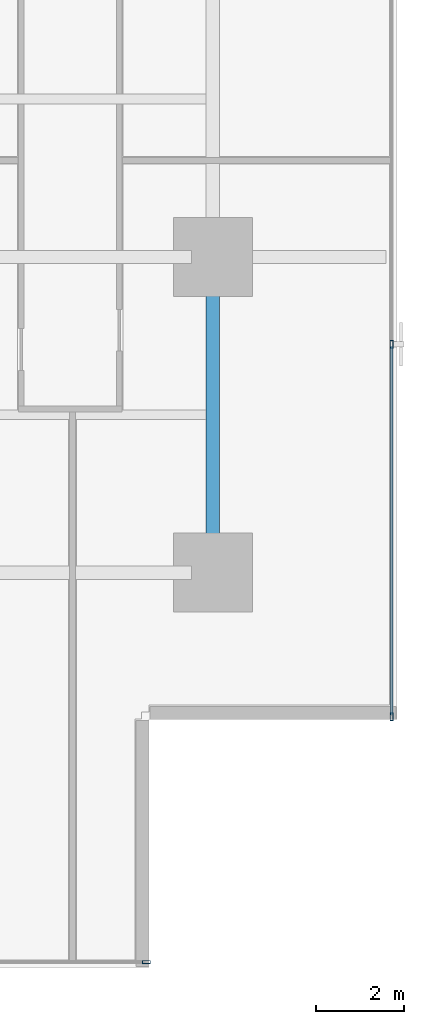
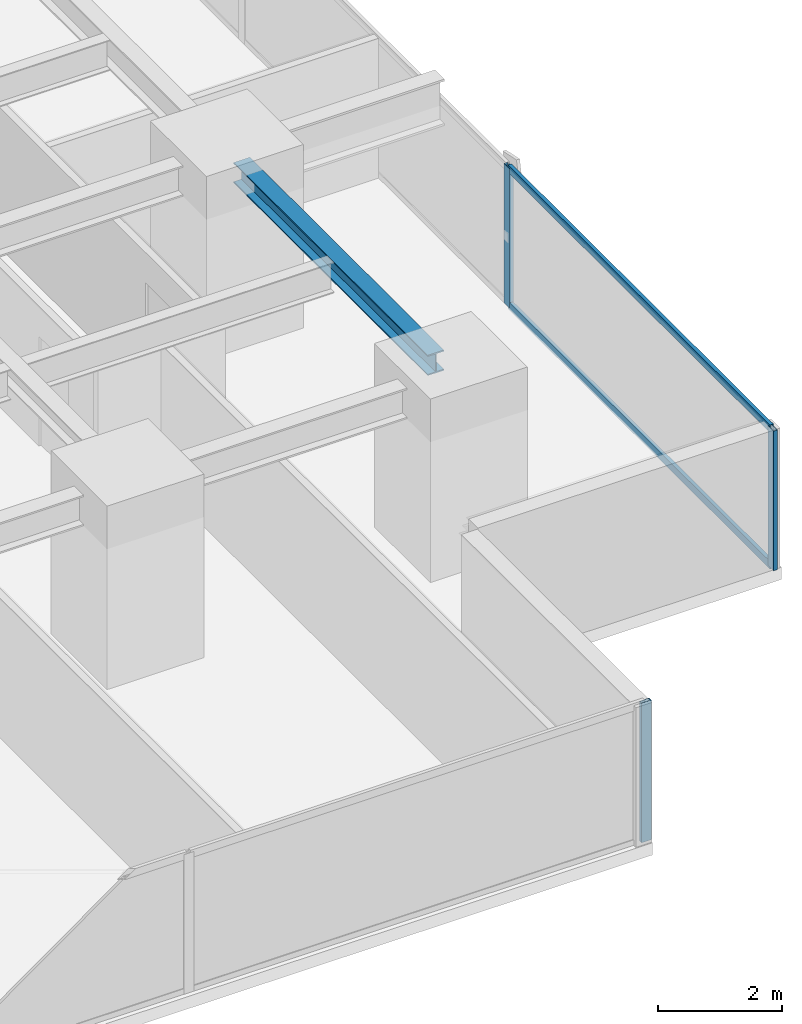
# One storey, part 13 of 33: 5 members, 1 beam, 2 elements without a shape of their own.
"""IFC4 building model written with IfcOpenShell, lengths in metres."""

from ifc_helpers import new_model, si_unit, direction, frame, origin, origin_2d, place, context, subcontext, project, spatial, hollow_rectangle, i_section, extrude, source, transform, mapped, material, layer, layer_set, material_profile, profile_set, type_object, element, aggregate, save


model = new_model("IFC4")

# Units and contexts
model_context = context("Model", 3, precision=1e-05, world=origin(), true_north=direction((0.0, 1.0)))
body_context = subcontext(model_context, "Body", "Model", "MODEL_VIEW")
ifc_project = project(units=[si_unit("LENGTHUNIT", "METRE"), si_unit("AREAUNIT", "SQUARE_METRE"), si_unit("VOLUMEUNIT", "CUBIC_METRE"), si_unit("PLANEANGLEUNIT", "RADIAN"), si_unit("MASSUNIT", "GRAM", prefix="KILO")], contexts=[model_context])

# Site, building, storey
site_placement = place(None, origin())
site = spatial("IfcSite", under=ifc_project, at=site_placement, CompositionType="ELEMENT")
building_placement = place(site_placement, origin())
building = spatial("IfcBuilding", under=site, at=building_placement, Name="Sumidabori Civic Tower", CompositionType="ELEMENT")
storey_placement = place(building_placement, frame((0.0, 0.0, 38.0)))
storey = spatial("IfcBuildingStorey", under=building, at=storey_placement, Name="L09", CompositionType="ELEMENT", Elevation=38.0)

# Beam
ifc_material_1 = material(Name="Steel SN490", Category="steel")
ifc_material_profile_1 = material_profile(ifc_material_1, i_section(OverallWidth=0.300048828125, OverallDepth=0.39990234375, WebThickness=0.013427734375, FlangeThickness=0.02392578125, at=origin_2d()), Name="HE 400 B")
ifc_profile_set_1 = profile_set([ifc_material_profile_1], Name="Steel SN490")
beam_type = type_object("IfcBeamType", Name="BM-GIRD-400", PredefinedType="BEAM", material=ifc_profile_set_1)
shared_shape_1 = source(origin(), body_context, "Body", "SweptSolid", [
    extrude(i_section(OverallWidth=0.300048828125, OverallDepth=0.39990234375, WebThickness=0.013427734375, FlangeThickness=0.02392578125, at=origin_2d()), origin(), (0.0, 0.0, 1.0), 6.239990234375),
])
beam_placement = place(storey_placement, frame((22.800048828125, -17.52001953125, 3.159912109375), z_axis=(0.0, 1.0, 0.0), x_axis=(-1.0, 0.0, 0.0)))
element("IfcBeam", 1, at=beam_placement, inside=storey, type_object=beam_type, Name="Primary Girder L09 GY-39", PredefinedType="BEAM", context=body_context, shape_type="MappedRepresentation", body=[
    mapped(shared_shape_1, transform((0.0, 0.0, 0.0), x_axis=(1.0, 0.0, 0.0), y_axis=(0.0, 1.0, 0.0), z_axis=(0.0, 0.0, 1.0), scale=1.0)),
])

# Curtain wall, member
ifc_material_2 = material(Name="Anodised Bronze Aluminium AW-6063-T6", Category="aluminium")
ifc_layer = layer(ifc_material_2, 0.179931640625, Name="Anodised Bronze Aluminium AW-6063-T6")
ifc_layer_set = layer_set([ifc_layer], Name="Anodised Bronze Aluminium AW-6063-T6")
curtain_wall_type = type_object("IfcCurtainWallType", Name="CW-SYS-2", PredefinedType="NOTDEFINED", material=ifc_layer_set)
curtain_wall_1_placement = place(storey_placement, origin())
curtain_wall_1 = element("IfcCurtainWall", 2, at=curtain_wall_1_placement, inside=storey, type_object=curtain_wall_type, Name="Curtain Wall CW:L09:R01", PredefinedType="NOTDEFINED")
ifc_material_profile_2 = material_profile(ifc_material_2, hollow_rectangle(XDim=0.070068359375, YDim=0.179931640625, WallThickness=0.006103515625, at=origin_2d()), Name="ALU MULLION 180x70")
ifc_profile_set_2 = profile_set([ifc_material_profile_2], Name="Anodised Bronze Aluminium AW-6063-T6")
member_type_1 = type_object("IfcMemberType", Name="CW-MUL-180", PredefinedType="MULLION", material=ifc_profile_set_2)
shared_shape_2 = source(origin(), body_context, "Body", "SweptSolid", [
    extrude(hollow_rectangle(XDim=0.070068359375, YDim=0.179931640625, WallThickness=0.006103515625, at=origin_2d()), origin(), (0.0, 0.0, 1.0), 2.739990234375),
])
member_1_placement = place(storey_placement, frame((21.284912109375, -26.8798828125, 0.0), z_axis=(0.0, 0.0, 1.0), x_axis=(0.0, 1.0, 0.0)))
member_1 = element("IfcMember", 3, at=member_1_placement, type_object=member_type_1, Name="CW-2 mullion 6", PredefinedType="MULLION", context=body_context, shape_type="MappedRepresentation", body=[
    mapped(shared_shape_2, transform((0.0, 0.0, 0.0), x_axis=(1.0, 0.0, 0.0), y_axis=(0.0, 1.0, 0.0), z_axis=(0.0, 0.0, 1.0), scale=1.0)),
])
aggregate(curtain_wall_1, [member_1])

# Curtain wall, members
curtain_wall_2_placement = place(storey_placement, origin())
curtain_wall_2 = element("IfcCurtainWall", 4, at=curtain_wall_2_placement, inside=storey, type_object=curtain_wall_type, Name="Curtain Wall CW:L09:R04", PredefinedType="NOTDEFINED")
member_2_placement = place(storey_placement, frame((26.8798828125, -21.284912109375, 0.0), z_axis=(0.0, 0.0, 1.0), x_axis=(-1.0, 0.0, 0.0)))
member_2 = element("IfcMember", 5, at=member_2_placement, type_object=member_type_1, Name="CW-2 mullion 1", PredefinedType="MULLION", context=body_context, shape_type="MappedRepresentation", body=[
    mapped(shared_shape_2, transform((0.0, 0.0, 0.0), x_axis=(1.0, 0.0, 0.0), y_axis=(0.0, 1.0, 0.0), z_axis=(0.0, 0.0, 1.0), scale=1.0)),
])
member_3_placement = place(storey_placement, frame((26.8798828125, -12.7919921875, 0.0), z_axis=(0.0, 0.0, 1.0), x_axis=(-1.0, 0.0, 0.0)))
member_3 = element("IfcMember", 6, at=member_3_placement, type_object=member_type_1, Name="CW-2 mullion 2", PredefinedType="MULLION", context=body_context, shape_type="MappedRepresentation", body=[
    mapped(shared_shape_2, transform((0.0, 0.0, 0.0), x_axis=(1.0, 0.0, 0.0), y_axis=(0.0, 1.0, 0.0), z_axis=(0.0, 0.0, 1.0), scale=1.0)),
])
ifc_material_profile_3 = material_profile(ifc_material_2, hollow_rectangle(XDim=0.06494140625, YDim=0.14990234375, WallThickness=0.0048828125, at=origin_2d()), Name="ALU TRANSOM 150x65")
ifc_profile_set_3 = profile_set([ifc_material_profile_3], Name="Anodised Bronze Aluminium AW-6063-T6")
member_type_2 = type_object("IfcMemberType", Name="CW-TRN-150", PredefinedType="USERDEFINED", material=ifc_profile_set_3)
shared_shape_3 = source(origin(), body_context, "Body", "SweptSolid", [
    extrude(hollow_rectangle(XDim=0.06494140625, YDim=0.14990234375, WallThickness=0.0048828125, at=origin_2d()), origin(), (0.0, 0.0, 1.0), 8.423095703125),
])
member_4_placement = place(storey_placement, frame((26.8798828125, -21.25, 0.032470703125), z_axis=(0.0, 1.0, 0.0), x_axis=(-1.0, 0.0, 0.0)))
member_4 = element("IfcMember", 7, at=member_4_placement, type_object=member_type_2, Name="CW-2 transom 1.1", ObjectType="TRANSOM", PredefinedType="USERDEFINED", context=body_context, shape_type="MappedRepresentation", body=[
    mapped(shared_shape_3, transform((0.0, 0.0, 0.0), x_axis=(1.0, 0.0, 0.0), y_axis=(0.0, 1.0, 0.0), z_axis=(0.0, 0.0, 1.0), scale=1.0)),
])
member_5_placement = place(storey_placement, frame((26.8798828125, -21.25, 2.70751953125), z_axis=(0.0, 1.0, 0.0), x_axis=(-1.0, 0.0, 0.0)))
member_5 = element("IfcMember", 8, at=member_5_placement, type_object=member_type_2, Name="CW-2 transom 1.2", ObjectType="TRANSOM", PredefinedType="USERDEFINED", context=body_context, shape_type="MappedRepresentation", body=[
    mapped(shared_shape_3, transform((0.0, 0.0, 0.0), x_axis=(1.0, 0.0, 0.0), y_axis=(0.0, 1.0, 0.0), z_axis=(0.0, 0.0, 1.0), scale=1.0)),
])
aggregate(curtain_wall_2, [member_2, member_3, member_4, member_5])

save(model, "model.ifc")
